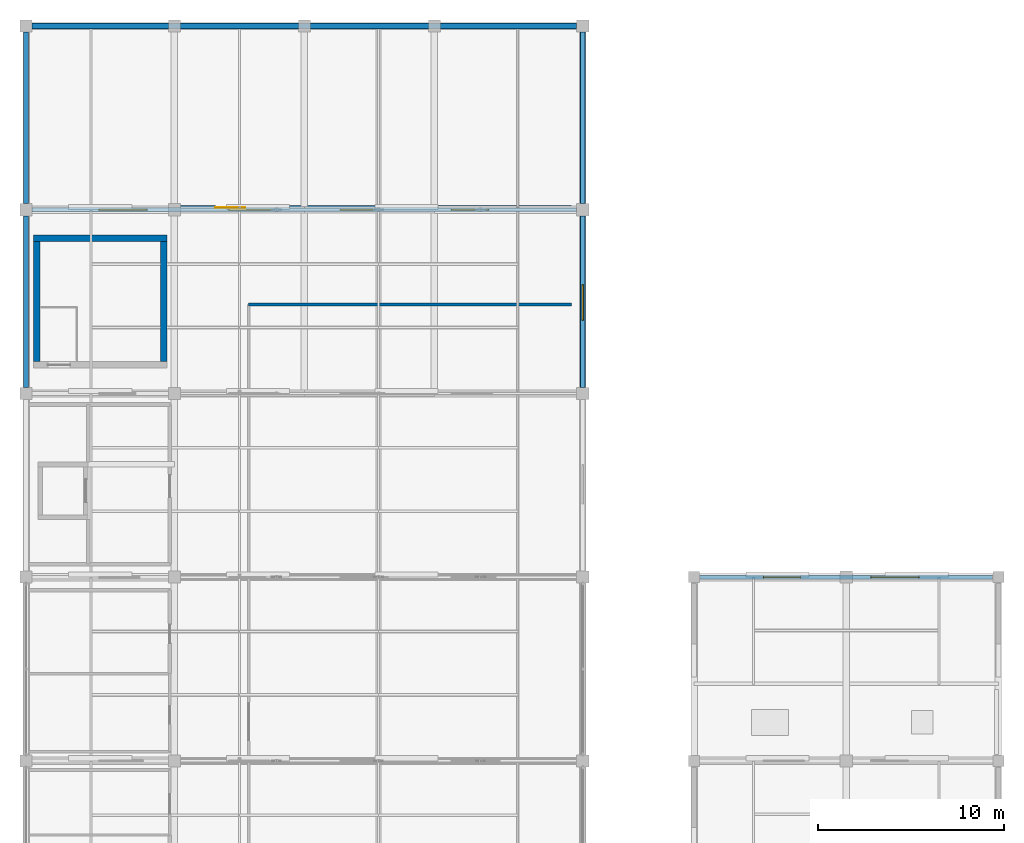
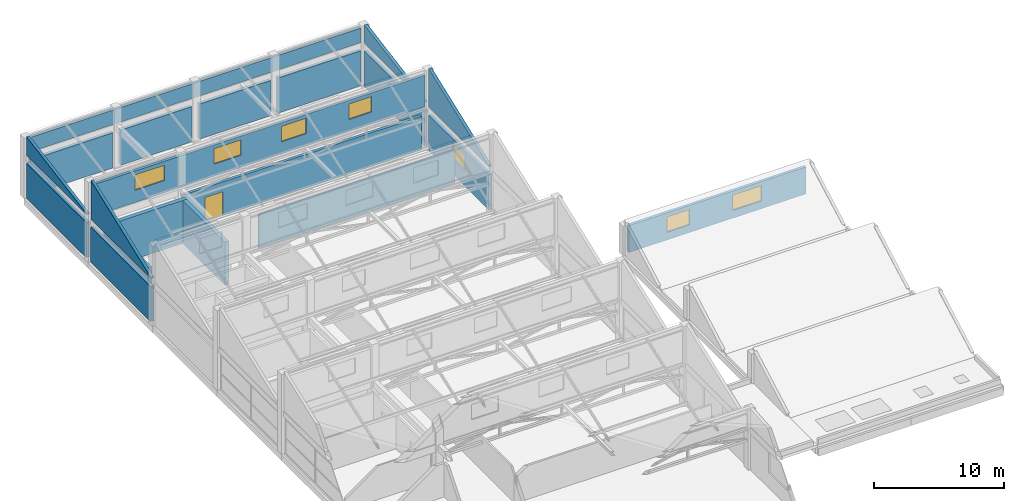
# One storey, part 32 of 35: 20 walls, 7 windows, 1 door, 8 openings.
"""IFC4 building model written with IfcOpenShell, lengths in metres."""

from ifc_helpers import new_model, si_unit, direction, frame, frame_2d, origin, place, context, subcontext, project, spatial, polyline, rectangle, outline, extrude, material, layer, layer_set, type_object, element, fill, save


model = new_model("IFC4")

# Units and contexts
model_context = context("Model", 3, precision=1e-05, world=origin(), true_north=direction((0.0, 1.0)))
body_context = subcontext(model_context, "Body", "Model", "MODEL_VIEW")
ifc_project = project(units=[si_unit("LENGTHUNIT", "METRE"), si_unit("AREAUNIT", "SQUARE_METRE"), si_unit("VOLUMEUNIT", "CUBIC_METRE"), si_unit("PLANEANGLEUNIT", "RADIAN"), si_unit("MASSUNIT", "GRAM", prefix="KILO")], contexts=[model_context])

# Site, building, storey
site_placement = place(None, origin())
site = spatial("IfcSite", under=ifc_project, at=site_placement, CompositionType="ELEMENT")
building_placement = place(site_placement, origin())
building = spatial("IfcBuilding", under=site, at=building_placement, Name="Sillaruma Civic Art Gallery", CompositionType="ELEMENT")
storey_placement = place(building_placement, frame((0.0, 0.0, 74.4599609375)))
storey = spatial("IfcBuildingStorey", under=building, at=storey_placement, Name="L15", CompositionType="ELEMENT", Elevation=74.4599609375)

# Walls
ifc_material_1 = material(Name="Concrete H40 (40 MPa)", Category="concrete")
ifc_layer_1 = layer(ifc_material_1, 0.35009765625, Name="Concrete H40 (40 MPa)")
ifc_layer_set_1 = layer_set([ifc_layer_1], Name="Concrete H40 (40 MPa)")
wall_type_1 = type_object("IfcWallType", Name="WAL-CORE-350", PredefinedType="SHEAR", material=ifc_layer_set_1)
wall_1_placement = place(storey_placement, frame((62.409912109375, 87.56494140625, 0.0), z_axis=(0.0, 0.0, 1.0), x_axis=(1.0, 0.0, 0.0)))
element("IfcWall", 1, at=wall_1_placement, inside=storey, type_object=wall_type_1, Name="Stair Core Shear Wall W-CORE-350 (ST-02:L15:N)", PredefinedType="SHEAR", context=body_context, shape_type="SweptSolid", body=[
    extrude(rectangle(XDim=7.18017578125, YDim=0.35009765625, at=frame_2d((3.590087890625, 0.0))), origin(), (0.0, 0.0, 1.0), 4.0400390625),
])
for number, where, z_axis, x_axis, name in (
    (2, (62.5849609375, 80.909912109375, 0.0), (0.0, 0.0, 1.0), (0.0, 1.0, 0.0), "Stair Core Shear Wall W-CORE-350 (ST-02:L15:W)"),
    (3, (69.4150390625, 80.909912109375, 0.0), (0.0, 0.0, 1.0), (0.0, 1.0, 0.0), "Stair Core Shear Wall W-CORE-350 (ST-02:L15:E)"),
):
    element("IfcWall", number, at=place(storey_placement, frame(where, z_axis=z_axis, x_axis=x_axis)), inside=storey, type_object=wall_type_1, Name=name, PredefinedType="SHEAR", context=body_context, shape_type="SweptSolid", body=[
        extrude(rectangle(XDim=6.47998046875, YDim=0.35009765625, at=frame_2d((3.239990234375, 0.0))), origin(), (0.0, 0.0, 1.0), 4.0400390625),
    ])
ifc_material_2 = material(Name="Concrete H35 (35 MPa)", Category="concrete")
ifc_layer_2 = layer(ifc_material_2, 0.14990234375, Name="Spandrel concrete", Category="concrete")
ifc_material_3 = material(Name="Mineral Wool Thermal Insulation", Category="insulation")
ifc_layer_3 = layer(ifc_material_3, 0.080078125, Name="Thermal insulation", Category="insulation")
ifc_material_4 = material(Name="Anodised Zinc-Aluminium Alloy", Category="aluminium")
ifc_layer_4 = layer(ifc_material_4, 0.030029296875, Name="Cladding finish", Category="aluminium")
ifc_layer_set_2 = layer_set([ifc_layer_2, ifc_layer_3, ifc_layer_4], Name="W-EXT-260")
wall_type_2 = type_object("IfcWallType", Name="WAL-EXT-260", PredefinedType="SOLIDWALL", material=ifc_layer_set_2)
wall_2_placement = place(storey_placement, frame((62.324951171875, 99.0, 4.0400390625), z_axis=(0.0, 0.0, 1.0), x_axis=(1.0, 0.0, 0.0)))
element("IfcWall", 4, at=wall_2_placement, inside=storey, type_object=wall_type_2, Name="Exterior Wall W-EXT-260 (SAW-L15-MON-N)", PredefinedType="SOLIDWALL", context=body_context, shape_type="SweptSolid", body=[
    extrude(rectangle(XDim=29.35009765625, YDim=0.260009765625, at=frame_2d((14.675048828125, 0.0))), origin(), (0.0, 0.0, 1.0), 1.361572265625),
])
for number, where, z_axis, x_axis, name in (
    (5, (62.0, 89.425048828125, 4.0400390625), (0.0, 0.0, 1.0), (0.0, 1.0, 0.0), "Crown Mono-Pitch Gable Cheek (N-W)"),
    (6, (92.0, 89.425048828125, 4.0400390625), (0.0, 0.0, 1.0), (0.0, 1.0, 0.0), "Crown Mono-Pitch Gable Cheek (N-E)"),
):
    element("IfcWall", number, at=place(storey_placement, frame(where, z_axis=z_axis, x_axis=x_axis)), inside=storey, type_object=wall_type_2, Name=name, PredefinedType="SOLIDWALL", context=body_context, shape_type="SweptSolid", body=[
        extrude(outline(polyline([(0.0, 0.0), (9.25, 0.0), (9.25, 1.719970703125), (0.0, 0.080078125), (0.0, 0.0)])), frame((0.0, 0.1298828125, 0.0), z_axis=(0.0, -1.0, 0.0), x_axis=(1.0, 0.0, 0.0)), (0.0, 0.0, 1.0), 0.260009765625),
    ])

# Wall, openings, windows
wall_3_placement = place(storey_placement, frame((62.324951171875, 89.10009765625, 4.0400390625), z_axis=(0.0, 0.0, 1.0), x_axis=(1.0, 0.0, 0.0)))
wall_3 = element("IfcWall", 7, at=wall_3_placement, inside=storey, type_object=wall_type_2, Name="Exterior Wall W-EXT-260 (SAW-L15-MON-5)", PredefinedType="SOLIDWALL", context=body_context, shape_type="SweptSolid", body=[
    extrude(rectangle(XDim=29.35009765625, YDim=0.260009765625, at=frame_2d((14.675048828125, 0.0))), origin(), (0.0, 0.0, 1.0), 2.95556640625),
])
opening_1_placement = place(wall_3_placement, frame((3.60009765625, 0.0, 1.14990234375)))
opening_1 = element("IfcOpeningElement", 8, at=opening_1_placement, cuts=wall_3, Name="Opening SK-01", PredefinedType="OPENING", context=body_context, shape_type="SweptSolid", body=[
    extrude(rectangle(XDim=2.60009765625, YDim=1.449951171875, at=frame_2d((1.300048828125, 0.72509765625))), frame((0.0, 0.139892578125, 0.0), z_axis=(0.0, -1.0, 0.0), x_axis=(1.0, 0.0, 0.0)), (0.0, 0.0, 1.0), 0.280029296875),
])
opening_2_placement = place(wall_3_placement, frame((10.60009765625, 0.0, 1.14990234375)))
opening_2 = element("IfcOpeningElement", 9, at=opening_2_placement, cuts=wall_3, Name="Opening SK-02", PredefinedType="OPENING", context=body_context, shape_type="SweptSolid", body=[
    extrude(rectangle(XDim=2.39990234375, YDim=1.449951171875, at=frame_2d((1.199951171875, 0.72509765625))), frame((0.0, 0.139892578125, 0.0), z_axis=(0.0, -1.0, 0.0), x_axis=(1.0, 0.0, 0.0)), (0.0, 0.0, 1.0), 0.280029296875),
])
opening_3_placement = place(wall_3_placement, frame((16.60009765625, 0.0, 1.14990234375)))
opening_3 = element("IfcOpeningElement", 10, at=opening_3_placement, cuts=wall_3, Name="Opening SK-03", PredefinedType="OPENING", context=body_context, shape_type="SweptSolid", body=[
    extrude(rectangle(XDim=2.199951171875, YDim=1.449951171875, at=frame_2d((1.10009765625, 0.72509765625))), frame((0.0, 0.139892578125, 0.0), z_axis=(0.0, -1.0, 0.0), x_axis=(1.0, 0.0, 0.0)), (0.0, 0.0, 1.0), 0.280029296875),
])
opening_4_placement = place(wall_3_placement, frame((22.60009765625, 0.0, 1.14990234375)))
opening_4 = element("IfcOpeningElement", 11, at=opening_4_placement, cuts=wall_3, Name="Opening SK-04", PredefinedType="OPENING", context=body_context, shape_type="SweptSolid", body=[
    extrude(rectangle(XDim=2.0, YDim=1.449951171875, at=frame_2d((1.0, 0.72509765625))), frame((0.0, 0.139892578125, 0.0), z_axis=(0.0, -1.0, 0.0), x_axis=(1.0, 0.0, 0.0)), (0.0, 0.0, 1.0), 0.280029296875),
])
ifc_material_5 = material(Name="Thermally Broken Extruded Aluminium 6063-T6", Category="aluminium")
window_type_1 = type_object("IfcWindowType", Name="WIN-SKY-01", PartitioningType="SINGLE_PANEL", PredefinedType="SKYLIGHT", material=ifc_material_5)
window_1_placement = place(opening_1_placement, origin())
window_1 = element("IfcWindow", 12, at=window_1_placement, inside=storey, type_object=window_type_1, Name="Window SK-01 (SAW-L15-MON-5-1)", OverallHeight=1.449951171875, OverallWidth=2.60009765625, PartitioningType="SINGLE_PANEL", PredefinedType="SKYLIGHT", context=body_context, shape_type="SweptSolid", body=[
    extrude(rectangle(XDim=2.60009765625, YDim=1.449951171875, at=frame_2d((1.300048828125, 0.72509765625))), frame((0.0, 0.030029296875, 0.0), z_axis=(0.0, -1.0, 0.0), x_axis=(1.0, 0.0, 0.0)), (0.0, 0.0, 1.0), 0.06005859375),
])
fill(opening_1, window_1)
window_type_2 = type_object("IfcWindowType", Name="WIN-SKY-02", PartitioningType="SINGLE_PANEL", PredefinedType="SKYLIGHT", material=ifc_material_5)
window_2_placement = place(opening_2_placement, origin())
window_2 = element("IfcWindow", 13, at=window_2_placement, inside=storey, type_object=window_type_2, Name="Window SK-02 (SAW-L15-MON-5-2)", OverallHeight=1.449951171875, OverallWidth=2.39990234375, PartitioningType="SINGLE_PANEL", PredefinedType="SKYLIGHT", context=body_context, shape_type="SweptSolid", body=[
    extrude(rectangle(XDim=2.39990234375, YDim=1.449951171875, at=frame_2d((1.199951171875, 0.72509765625))), frame((0.0, 0.030029296875, 0.0), z_axis=(0.0, -1.0, 0.0), x_axis=(1.0, 0.0, 0.0)), (0.0, 0.0, 1.0), 0.06005859375),
])
fill(opening_2, window_2)
window_type_3 = type_object("IfcWindowType", Name="WIN-SKY-03", PartitioningType="SINGLE_PANEL", PredefinedType="SKYLIGHT", material=ifc_material_5)
window_3_placement = place(opening_3_placement, origin())
window_3 = element("IfcWindow", 14, at=window_3_placement, inside=storey, type_object=window_type_3, Name="Window SK-03 (SAW-L15-MON-5-3)", OverallHeight=1.449951171875, OverallWidth=2.199951171875, PartitioningType="SINGLE_PANEL", PredefinedType="SKYLIGHT", context=body_context, shape_type="SweptSolid", body=[
    extrude(rectangle(XDim=2.199951171875, YDim=1.449951171875, at=frame_2d((1.10009765625, 0.72509765625))), frame((0.0, 0.030029296875, 0.0), z_axis=(0.0, -1.0, 0.0), x_axis=(1.0, 0.0, 0.0)), (0.0, 0.0, 1.0), 0.06005859375),
])
fill(opening_3, window_3)
window_type_4 = type_object("IfcWindowType", Name="WIN-SKY-04", PartitioningType="SINGLE_PANEL", PredefinedType="SKYLIGHT", material=ifc_material_5)
window_4_placement = place(opening_4_placement, origin())
window_4 = element("IfcWindow", 15, at=window_4_placement, inside=storey, type_object=window_type_4, Name="Window SK-04 (SAW-L15-MON-5-4)", OverallHeight=1.449951171875, OverallWidth=2.0, PartitioningType="SINGLE_PANEL", PredefinedType="SKYLIGHT", context=body_context, shape_type="SweptSolid", body=[
    extrude(rectangle(XDim=2.0, YDim=1.449951171875, at=frame_2d((1.0, 0.72509765625))), frame((0.0, 0.030029296875, 0.0), z_axis=(0.0, -1.0, 0.0), x_axis=(1.0, 0.0, 0.0)), (0.0, 0.0, 1.0), 0.06005859375),
])
fill(opening_4, window_4)

# Walls
for number, where, z_axis, x_axis, name in (
    (16, (62.0, 79.52490234375, 4.0400390625), (0.0, 0.0, 1.0), (0.0, 1.0, 0.0), "Sawtooth Monitor Gable Cheek (5-W)"),
    (17, (92.0, 79.52490234375, 4.0400390625), (0.0, 0.0, 1.0), (0.0, 1.0, 0.0), "Sawtooth Monitor Gable Cheek (5-E)"),
):
    element("IfcWall", number, at=place(storey_placement, frame(where, z_axis=z_axis, x_axis=x_axis)), inside=storey, type_object=wall_type_2, Name=name, PredefinedType="SOLIDWALL", context=body_context, shape_type="SweptSolid", body=[
        extrude(outline(polyline([(0.0, 0.0), (9.25, 0.0), (9.25, 3.6201171875), (0.0, 0.10009765625), (0.0, 0.0)])), frame((0.0, 0.1298828125, 0.0), z_axis=(0.0, -1.0, 0.0), x_axis=(1.0, 0.0, 0.0)), (0.0, 0.0, 1.0), 0.260009765625),
    ])

# Wall, openings, windows
wall_4_placement = place(storey_placement, frame((98.330078125, 69.300048828125, 0.0), z_axis=(0.0, 0.0, 1.0), x_axis=(1.0, 0.0, 0.0)))
wall_4 = element("IfcWall", 18, at=wall_4_placement, inside=storey, type_object=wall_type_2, Name="Exterior Wall W-EXT-260 (SAW-EHH-MON-3)", PredefinedType="SOLIDWALL", context=body_context, shape_type="SweptSolid", body=[
    extrude(rectangle(XDim=15.739990234375, YDim=0.260009765625, at=frame_2d((7.8701171875, 0.0))), origin(), (0.0, 0.0, 1.0), 2.531494140625),
])
opening_5_placement = place(wall_4_placement, frame((3.39990234375, 0.0, 0.719970703125)))
opening_5 = element("IfcOpeningElement", 19, at=opening_5_placement, cuts=wall_4, Name="Opening SK-04", PredefinedType="OPENING", context=body_context, shape_type="SweptSolid", body=[
    extrude(rectangle(XDim=2.0, YDim=1.449951171875, at=frame_2d((1.0, 0.72509765625))), frame((0.0, 0.139892578125, 0.0), z_axis=(0.0, -1.0, 0.0), x_axis=(1.0, 0.0, 0.0)), (0.0, 0.0, 1.0), 0.280029296875),
])
opening_6_placement = place(wall_4_placement, frame((9.199951171875, 0.0, 0.719970703125)))
opening_6 = element("IfcOpeningElement", 20, at=opening_6_placement, cuts=wall_4, Name="Opening SK-01", PredefinedType="OPENING", context=body_context, shape_type="SweptSolid", body=[
    extrude(rectangle(XDim=2.60009765625, YDim=1.449951171875, at=frame_2d((1.300048828125, 0.72509765625))), frame((0.0, 0.139892578125, 0.0), z_axis=(0.0, -1.0, 0.0), x_axis=(1.0, 0.0, 0.0)), (0.0, 0.0, 1.0), 0.280029296875),
])
window_5_placement = place(opening_6_placement, origin())
window_5 = element("IfcWindow", 21, at=window_5_placement, inside=storey, type_object=window_type_1, Name="Window SK-01 (SAW-EHH-MON-3-2)", OverallHeight=1.449951171875, OverallWidth=2.60009765625, PartitioningType="SINGLE_PANEL", PredefinedType="SKYLIGHT", context=body_context, shape_type="SweptSolid", body=[
    extrude(rectangle(XDim=2.60009765625, YDim=1.449951171875, at=frame_2d((1.300048828125, 0.72509765625))), frame((0.0, 0.030029296875, 0.0), z_axis=(0.0, -1.0, 0.0), x_axis=(1.0, 0.0, 0.0)), (0.0, 0.0, 1.0), 0.06005859375),
])
fill(opening_6, window_5)
window_6_placement = place(opening_5_placement, origin())
window_6 = element("IfcWindow", 22, at=window_6_placement, inside=storey, type_object=window_type_4, Name="Window SK-04 (SAW-EHH-MON-3-1)", OverallHeight=1.449951171875, OverallWidth=2.0, PartitioningType="SINGLE_PANEL", PredefinedType="SKYLIGHT", context=body_context, shape_type="SweptSolid", body=[
    extrude(rectangle(XDim=2.0, YDim=1.449951171875, at=frame_2d((1.0, 0.72509765625))), frame((0.0, 0.030029296875, 0.0), z_axis=(0.0, -1.0, 0.0), x_axis=(1.0, 0.0, 0.0)), (0.0, 0.0, 1.0), 0.06005859375),
])
fill(opening_5, window_6)

# Wall, opening, window
ifc_layer_5 = layer(ifc_material_2, 0.159912109375, Name="Concrete backup", Category="concrete")
ifc_layer_6 = layer(ifc_material_3, 0.090087890625, Name="Thermal insulation", Category="insulation")
ifc_layer_7 = layer(ifc_material_4, 0.030029296875, Name="Rainscreen finish", Category="aluminium")
ifc_layer_set_3 = layer_set([ifc_layer_5, ifc_layer_6, ifc_layer_7], Name="W-EXT-280")
wall_type_3 = type_object("IfcWallType", Name="WAL-EXT-280", PredefinedType="SOLIDWALL", material=ifc_layer_set_3)
wall_5_placement = place(storey_placement, frame((92.0, 79.52490234375, 0.0), z_axis=(0.0, 0.0, 1.0), x_axis=(0.0, 1.0, 0.0)))
wall_5 = element("IfcWall", 23, at=wall_5_placement, inside=storey, type_object=wall_type_3, Name="Exterior Wall W-EXT-280 (EW-L15-WBE-7)", PredefinedType="SOLIDWALL", context=body_context, shape_type="SweptSolid", body=[
    extrude(rectangle(XDim=9.25, YDim=0.280029296875, at=frame_2d((4.625, 0.0))), origin(), (0.0, 0.0, 1.0), 3.2900390625),
])
opening_7_placement = place(wall_5_placement, frame((3.625, 0.0, 1.449951171875)))
opening_7 = element("IfcOpeningElement", 24, at=opening_7_placement, cuts=wall_5, Name="Opening WN-14", PredefinedType="OPENING", context=body_context, shape_type="SweptSolid", body=[
    extrude(rectangle(XDim=1.89990234375, YDim=1.449951171875, at=frame_2d((0.949951171875, 0.72509765625))), frame((0.0, 0.14990234375, 0.0), z_axis=(0.0, -1.0, 0.0), x_axis=(1.0, 0.0, 0.0)), (0.0, 0.0, 1.0), 0.300048828125),
])
window_type_5 = type_object("IfcWindowType", Name="WIN-W14", PartitioningType="SINGLE_PANEL", PredefinedType="WINDOW", material=ifc_material_5)
window_7_placement = place(opening_7_placement, origin())
window_7 = element("IfcWindow", 25, at=window_7_placement, inside=storey, type_object=window_type_5, Name="Window WN-14 (EW-L15-WBE-7-1)", OverallHeight=1.449951171875, OverallWidth=1.89990234375, PartitioningType="SINGLE_PANEL", PredefinedType="WINDOW", context=body_context, shape_type="SweptSolid", body=[
    extrude(rectangle(XDim=1.89990234375, YDim=1.449951171875, at=frame_2d((0.949951171875, 0.72509765625))), frame((0.0, 0.030029296875, 0.0), z_axis=(0.0, -1.0, 0.0), x_axis=(1.0, 0.0, 0.0)), (0.0, 0.0, 1.0), 0.06005859375),
])
fill(opening_7, window_7)

# Walls
wall_6_placement = place(storey_placement, frame((92.0, 89.425048828125, 0.0), z_axis=(0.0, 0.0, 1.0), x_axis=(0.0, 1.0, 0.0)))
element("IfcWall", 26, at=wall_6_placement, inside=storey, type_object=wall_type_3, Name="Exterior Wall W-EXT-280 (EW-L15-WBE-8)", PredefinedType="SOLIDWALL", context=body_context, shape_type="SweptSolid", body=[
    extrude(rectangle(XDim=9.25, YDim=0.280029296875, at=frame_2d((4.625, 0.0))), origin(), (0.0, 0.0, 1.0), 3.2900390625),
])
ifc_layer_8 = layer(ifc_material_2, 0.169921875, Name="Concrete backup", Category="concrete")
ifc_layer_9 = layer(ifc_material_3, 0.090087890625, Name="Thermal insulation", Category="insulation")
ifc_layer_10 = layer(ifc_material_4, 0.030029296875, Name="Rainscreen finish", Category="aluminium")
ifc_layer_set_4 = layer_set([ifc_layer_8, ifc_layer_9, ifc_layer_10], Name="W-EXT-290")
wall_type_4 = type_object("IfcWallType", Name="WAL-EXT-290", PredefinedType="SOLIDWALL", material=ifc_layer_set_4)
for number, where, z_axis, x_axis, name in (
    (27, (62.0, 79.52490234375, 0.0), (0.0, 0.0, 1.0), (0.0, 1.0, 0.0), "Exterior Wall W-EXT-290 (EW-L15-WBW-7)"),
    (28, (62.0, 89.425048828125, 0.0), (0.0, 0.0, 1.0), (0.0, 1.0, 0.0), "Exterior Wall W-EXT-290 (EW-L15-WBW-8)"),
):
    element("IfcWall", number, at=place(storey_placement, frame(where, z_axis=z_axis, x_axis=x_axis)), inside=storey, type_object=wall_type_4, Name=name, PredefinedType="SOLIDWALL", context=body_context, shape_type="SweptSolid", body=[
        extrude(rectangle(XDim=9.25, YDim=0.2900390625, at=frame_2d((4.625, 0.0))), origin(), (0.0, 0.0, 1.0), 3.2900390625),
    ])
ifc_material_6 = material(Name="Precast Concrete H35 (35 MPa)", Category="concrete")
ifc_layer_11 = layer(ifc_material_6, 0.179931640625, Name="Precast backup", Category="concrete")
ifc_layer_12 = layer(ifc_material_3, 0.090087890625, Name="Thermal insulation", Category="insulation")
ifc_material_7 = material(Name="Comanche Granitic Ashlar Stone", Category="masonry")
ifc_layer_13 = layer(ifc_material_7, 0.030029296875, Name="Rainscreen cladding", Category="masonry")
ifc_layer_set_5 = layer_set([ifc_layer_11, ifc_layer_12, ifc_layer_13], Name="W-EXT-300")
wall_type_5 = type_object("IfcWallType", Name="WAL-EXT-300", PredefinedType="SOLIDWALL", material=ifc_layer_set_5)
wall_7_placement = place(storey_placement, frame((62.324951171875, 99.0, 0.0), z_axis=(0.0, 0.0, 1.0), x_axis=(1.0, 0.0, 0.0)))
element("IfcWall", 29, at=wall_7_placement, inside=storey, type_object=wall_type_5, Name="Exterior Wall W-EXT-300 (EW-L15-WBN-1)", PredefinedType="SOLIDWALL", context=body_context, shape_type="SweptSolid", body=[
    extrude(rectangle(XDim=7.35009765625, YDim=0.300048828125, at=frame_2d((3.675048828125, 0.0))), origin(), (0.0, 0.0, 1.0), 3.2900390625),
])
for number, where, z_axis, x_axis, name in (
    (30, (70.324951171875, 99.0, 0.0), (0.0, 0.0, 1.0), (1.0, 0.0, 0.0), "Exterior Wall W-EXT-300 (EW-L15-WBN-2)"),
    (31, (77.324951171875, 99.0, 0.0), (0.0, 0.0, 1.0), (1.0, 0.0, 0.0), "Exterior Wall W-EXT-300 (EW-L15-WBN-3)"),
):
    element("IfcWall", number, at=place(storey_placement, frame(where, z_axis=z_axis, x_axis=x_axis)), inside=storey, type_object=wall_type_5, Name=name, PredefinedType="SOLIDWALL", context=body_context, shape_type="SweptSolid", body=[
        extrude(rectangle(XDim=6.35009765625, YDim=0.300048828125, at=frame_2d((3.175048828125, 0.0))), origin(), (0.0, 0.0, 1.0), 3.2900390625),
    ])
wall_8_placement = place(storey_placement, frame((84.324951171875, 99.0, 0.0), z_axis=(0.0, 0.0, 1.0), x_axis=(1.0, 0.0, 0.0)))
element("IfcWall", 32, at=wall_8_placement, inside=storey, type_object=wall_type_5, Name="Exterior Wall W-EXT-300 (EW-L15-WBN-4)", PredefinedType="SOLIDWALL", context=body_context, shape_type="SweptSolid", body=[
    extrude(rectangle(XDim=7.35009765625, YDim=0.300048828125, at=frame_2d((3.675048828125, 0.0))), origin(), (0.0, 0.0, 1.0), 3.2900390625),
])
ifc_material_8 = material(Name="Gypsum Acoustic Board", Category="gypsum")
ifc_layer_14 = layer(ifc_material_8, 0.02490234375, Name="Finish board", Category="gypsum")
ifc_layer_15 = layer(ifc_material_3, 0.10009765625, Name="Acoustic core", Category="insulation")
ifc_material_9 = material(Name="Andean Oak Timber", Category="wood")
ifc_layer_16 = layer(ifc_material_9, 0.02490234375, Name="Gallery lining", Category="wood")
ifc_layer_set_6 = layer_set([ifc_layer_14, ifc_layer_15, ifc_layer_16], Name="W-PT-150")
wall_type_6 = type_object("IfcWallType", Name="WAL-PART-150", PredefinedType="PARTITIONING", material=ifc_layer_set_6)
wall_9_placement = place(storey_placement, frame((74.0, 84.0, 0.0), z_axis=(0.0, 0.0, 1.0), x_axis=(1.0, 0.0, 0.0)))
element("IfcWall", 33, at=wall_9_placement, inside=storey, type_object=wall_type_6, Name="Interior Wall W-PT-150 (L15-GAL15)", PredefinedType="PARTITIONING", context=body_context, shape_type="SweptSolid", body=[
    extrude(rectangle(XDim=17.39990234375, YDim=0.14990234375, at=frame_2d((8.699951171875, 0.0))), origin(), (0.0, 0.0, 1.0), 3.16015625),
])

# Wall, opening, door
ifc_material_10 = material(Name="Concrete Masonry Unit Grade M15", Category="masonry")
ifc_layer_17 = layer(ifc_material_10, 0.2548828125, Name="Concrete Masonry Unit Grade M15")
ifc_layer_set_7 = layer_set([ifc_layer_17], Name="Concrete Masonry Unit Grade M15")
wall_type_7 = type_object("IfcWallType", Name="WAL-STORE-250", PredefinedType="SOLIDWALL", material=ifc_layer_set_7)
wall_10_placement = place(storey_placement, frame((70.199951171875, 89.199951171875, 0.0), z_axis=(0.0, 0.0, 1.0), x_axis=(1.0, 0.0, 0.0)))
wall_10 = element("IfcWall", 34, at=wall_10_placement, inside=storey, type_object=wall_type_7, Name="Interior Wall W-STORE-250 (L15-PLT15N)", PredefinedType="SOLIDWALL", context=body_context, shape_type="SweptSolid", body=[
    extrude(rectangle(XDim=21.199951171875, YDim=0.2548828125, at=frame_2d((10.60009765625, 0.0))), origin(), (0.0, 0.0, 1.0), 3.16015625),
])
opening_8_placement = place(wall_10_placement, frame((2.0, 0.0, 0.0)))
opening_8 = element("IfcOpeningElement", 35, at=opening_8_placement, cuts=wall_10, Name="Opening D-PLT16", PredefinedType="OPENING", context=body_context, shape_type="SweptSolid", body=[
    extrude(rectangle(XDim=1.60009765625, YDim=2.25, at=frame_2d((0.800048828125, 1.125))), frame((0.0, 0.137451171875, 0.0), z_axis=(0.0, -1.0, 0.0), x_axis=(1.0, 0.0, 0.0)), (0.0, 0.0, 1.0), 0.27490234375),
])
ifc_material_11 = material(Name="Galvanised Steel ASTM A653 Gr.50", Category="steel")
door_type = type_object("IfcDoorType", Name="DOR-PLANT-160", OperationType="NOTDEFINED", PredefinedType="DOOR", material=ifc_material_11)
door_placement = place(opening_8_placement, origin())
door = element("IfcDoor", 36, at=door_placement, inside=storey, type_object=door_type, Name="North Crown Smoke Extract Plant Room Door (D-PLT16)", OperationType="DOUBLE_DOOR_SINGLE_SWING", OverallHeight=2.25, OverallWidth=1.60009765625, PredefinedType="DOOR", context=body_context, shape_type="SweptSolid", body=[
    extrude(rectangle(XDim=1.60009765625, YDim=2.25, at=frame_2d((0.800048828125, 1.125))), frame((0.0, 0.02490234375, 0.0), z_axis=(0.0, -1.0, 0.0), x_axis=(1.0, 0.0, 0.0)), (0.0, 0.0, 1.0), 0.050048828125),
])
fill(opening_8, door)

save(model, "model.ifc")
